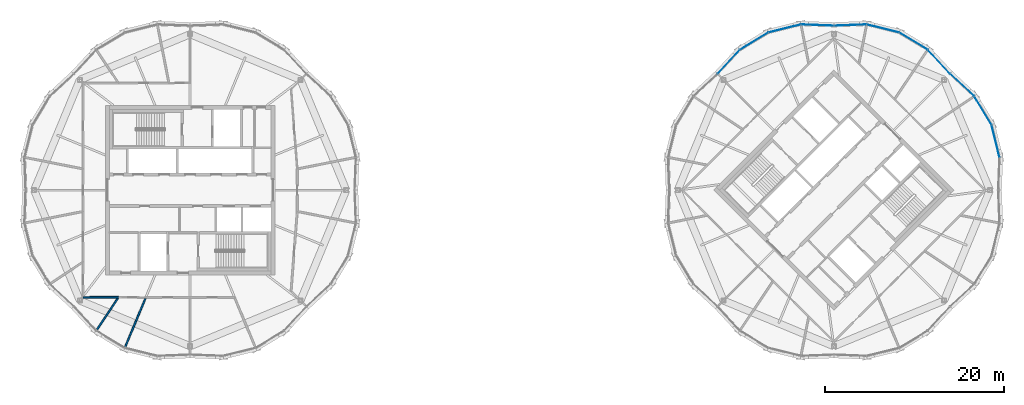
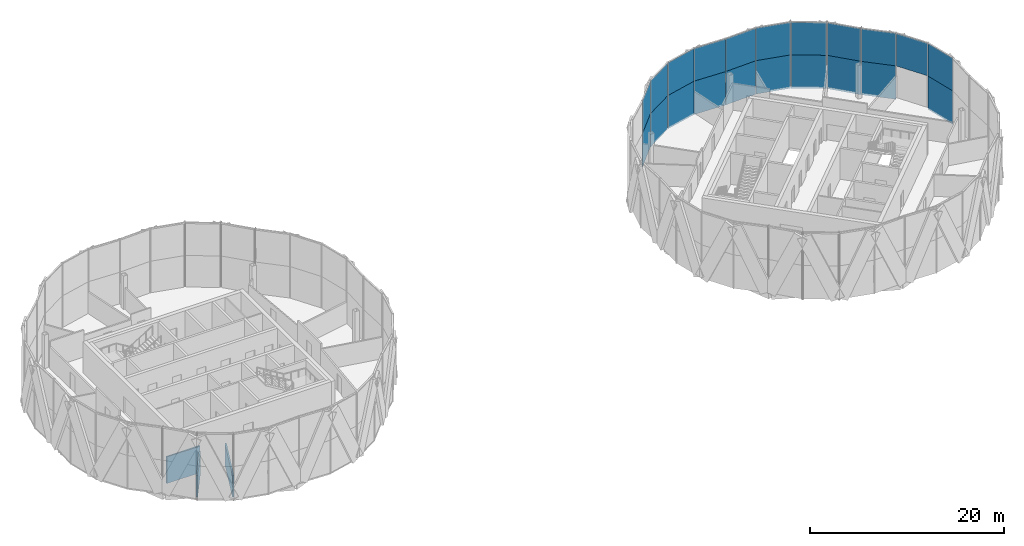
# One storey, part 14 of 22: 21 plates, 3 walls, 3 elements without a shape of their own.
"""IFC4 building model written with IfcOpenShell, lengths in metres."""

from ifc_helpers import new_model, si_unit, direction, frame, frame_2d, origin, origin_2d, place, context, subcontext, project, spatial, rectangle, extrude, material, layer, layer_set, type_object, element, aggregate, save


model = new_model("IFC4")

# Units and contexts
model_context = context("Model", 3, precision=1e-05, world=origin(), true_north=direction((0.0, 1.0)))
body_context = subcontext(model_context, "Body", "Model", "MODEL_VIEW")
ifc_project = project(units=[si_unit("LENGTHUNIT", "METRE"), si_unit("AREAUNIT", "SQUARE_METRE"), si_unit("VOLUMEUNIT", "CUBIC_METRE"), si_unit("PLANEANGLEUNIT", "RADIAN"), si_unit("MASSUNIT", "GRAM", prefix="KILO")], contexts=[model_context])

# Site, building, storey
site_placement = place(None, origin())
site = spatial("IfcSite", under=ifc_project, at=site_placement, CompositionType="ELEMENT")
building_placement = place(site_placement, origin())
building = spatial("IfcBuilding", under=site, at=building_placement, Name="Ogive Gate Towers", CompositionType="ELEMENT")
storey_placement = place(building_placement, frame((0.0, 0.0, 285.60009765625)))
storey = spatial("IfcBuildingStorey", under=building, at=storey_placement, Name="L67", CompositionType="ELEMENT", Elevation=285.60009765625)

# Curtain wall, plates
ifc_material_1 = material(Name="Pale metal aluminium", Category="aluminium")
curtain_wall_type = type_object("IfcCurtainWallType", Name="Tower unitised wall, high zone", PredefinedType="NOTDEFINED", material=ifc_material_1)
curtain_wall_1_placement = place(storey_placement, origin())
curtain_wall_1 = element("IfcCurtainWall", 1, at=curtain_wall_1_placement, inside=storey, type_object=curtain_wall_type, Name="CW2 T2 ECW01", PredefinedType="NOTDEFINED")
ifc_material_2 = material(Name="Clear glass", Category="glass")
ifc_layer_1 = layer(ifc_material_2, 0.028076171875)
ifc_layer_set_1 = layer_set([ifc_layer_1], Name="Tower unitised wall, high zone glass panel")
plate_type = type_object("IfcPlateType", Name="Tower unitised wall, high zone glass panel", PredefinedType="CURTAIN_PANEL", material=ifc_layer_set_1)
plate_1_placement = place(storey_placement, frame((54.09326171875, 5.49365234375, -0.30029296875), z_axis=(0.0, 0.0, 1.0), x_axis=(-0.238516508052, 0.971138442956, 0.0)))
plate_1 = element("IfcPlate", 2, at=plate_1_placement, type_object=plate_type, Name="CW2 glass panel", PredefinedType="CURTAIN_PANEL", context=body_context, shape_type="SweptSolid", body=[
    extrude(rectangle(XDim=3.677490234375, YDim=0.028076171875, at=origin_2d()), origin(), (0.0, 0.0, 1.0), 4.199951171875),
])
plate_2_placement = place(storey_placement, frame((54.09326171875, 5.49365234375, 3.89990234375), z_axis=(0.0, 0.0, 1.0), x_axis=(-0.238516508052, 0.971138442956, 0.0)))
plate_2 = element("IfcPlate", 3, at=plate_2_placement, type_object=plate_type, Name="CW2 glass panel", PredefinedType="CURTAIN_PANEL", context=body_context, shape_type="SweptSolid", body=[
    extrude(rectangle(XDim=3.677490234375, YDim=0.028076171875, at=origin_2d()), origin(), (0.0, 0.0, 1.0), 4.10400390625),
])
plate_3_placement = place(storey_placement, frame((52.678466796875, 8.9091796875, 3.89990234375), z_axis=(0.0, 0.0, 1.0), x_axis=(-0.518027009373, 0.855364260161, 0.0)))
plate_3 = element("IfcPlate", 4, at=plate_3_placement, type_object=plate_type, Name="CW2 glass panel", PredefinedType="CURTAIN_PANEL", context=body_context, shape_type="SweptSolid", body=[
    extrude(rectangle(XDim=3.677490234375, YDim=0.028076171875, at=origin_2d()), origin(), (0.0, 0.0, 1.0), 4.10400390625),
])
plate_4_placement = place(storey_placement, frame((50.35888671875, 11.760986328125, -0.30029296875), z_axis=(0.0, 0.0, 1.0), x_axis=(-0.733338412727, 0.679863789608, 0.0)))
plate_4 = element("IfcPlate", 5, at=plate_4_placement, type_object=plate_type, Name="CW2 glass panel", PredefinedType="CURTAIN_PANEL", context=body_context, shape_type="SweptSolid", body=[
    extrude(rectangle(XDim=3.62255859375, YDim=0.028076171875, at=origin_2d()), origin(), (0.0, 0.0, 1.0), 4.199951171875),
])
plate_5_placement = place(storey_placement, frame((50.35888671875, 11.760986328125, 3.89990234375), z_axis=(0.0, 0.0, 1.0), x_axis=(-0.733338412727, 0.679863789608, 0.0)))
plate_5 = element("IfcPlate", 6, at=plate_5_placement, type_object=plate_type, Name="CW2 glass panel", PredefinedType="CURTAIN_PANEL", context=body_context, shape_type="SweptSolid", body=[
    extrude(rectangle(XDim=3.62255859375, YDim=0.028076171875, at=origin_2d()), origin(), (0.0, 0.0, 1.0), 4.10400390625),
])
aggregate(curtain_wall_1, [plate_1, plate_2, plate_3, plate_4, plate_5])

curtain_wall_2_placement = place(storey_placement, origin())
curtain_wall_2 = element("IfcCurtainWall", 7, at=curtain_wall_2_placement, inside=storey, type_object=curtain_wall_type, Name="CW2 T2 ECW02", PredefinedType="NOTDEFINED")
plate_6_placement = place(storey_placement, frame((47.760986328125, 14.35888671875, -0.30029296875), z_axis=(0.0, 0.0, 1.0), x_axis=(-0.679863789608, 0.733338412727, 0.0)))
plate_6 = element("IfcPlate", 8, at=plate_6_placement, type_object=plate_type, Name="CW2 glass panel", PredefinedType="CURTAIN_PANEL", context=body_context, shape_type="SweptSolid", body=[
    extrude(rectangle(XDim=3.62255859375, YDim=0.028076171875, at=origin_2d()), origin(), (0.0, 0.0, 1.0), 4.199951171875),
])
plate_7_placement = place(storey_placement, frame((47.760986328125, 14.35888671875, 3.89990234375), z_axis=(0.0, 0.0, 1.0), x_axis=(-0.679863789608, 0.733338412727, 0.0)))
plate_7 = element("IfcPlate", 9, at=plate_7_placement, type_object=plate_type, Name="CW2 glass panel", PredefinedType="CURTAIN_PANEL", context=body_context, shape_type="SweptSolid", body=[
    extrude(rectangle(XDim=3.62255859375, YDim=0.028076171875, at=origin_2d()), origin(), (0.0, 0.0, 1.0), 4.10400390625),
])
plate_8_placement = place(storey_placement, frame((44.9091796875, 16.678466796875, -0.30029296875), z_axis=(0.0, 0.0, 1.0), x_axis=(-0.855364260161, 0.518027009373, 0.0)))
plate_8 = element("IfcPlate", 10, at=plate_8_placement, type_object=plate_type, Name="CW2 glass panel", PredefinedType="CURTAIN_PANEL", context=body_context, shape_type="SweptSolid", body=[
    extrude(rectangle(XDim=3.677490234375, YDim=0.028076171875, at=origin_2d()), origin(), (0.0, 0.0, 1.0), 4.199951171875),
])
plate_9_placement = place(storey_placement, frame((44.9091796875, 16.678466796875, 3.89990234375), z_axis=(0.0, 0.0, 1.0), x_axis=(-0.855364260161, 0.518027009373, 0.0)))
plate_9 = element("IfcPlate", 11, at=plate_9_placement, type_object=plate_type, Name="CW2 glass panel", PredefinedType="CURTAIN_PANEL", context=body_context, shape_type="SweptSolid", body=[
    extrude(rectangle(XDim=3.677490234375, YDim=0.028076171875, at=origin_2d()), origin(), (0.0, 0.0, 1.0), 4.10400390625),
])
plate_10_placement = place(storey_placement, frame((41.49365234375, 18.09326171875, -0.30029296875), z_axis=(0.0, 0.0, 1.0), x_axis=(-0.971138442956, 0.238516508052, 0.0)))
plate_10 = element("IfcPlate", 12, at=plate_10_placement, type_object=plate_type, Name="CW2 glass panel", PredefinedType="CURTAIN_PANEL", context=body_context, shape_type="SweptSolid", body=[
    extrude(rectangle(XDim=3.677490234375, YDim=0.028076171875, at=origin_2d()), origin(), (0.0, 0.0, 1.0), 4.199951171875),
])
plate_11_placement = place(storey_placement, frame((41.49365234375, 18.09326171875, 3.89990234375), z_axis=(0.0, 0.0, 1.0), x_axis=(-0.971138442956, 0.238516508052, 0.0)))
plate_11 = element("IfcPlate", 13, at=plate_11_placement, type_object=plate_type, Name="CW2 glass panel", PredefinedType="CURTAIN_PANEL", context=body_context, shape_type="SweptSolid", body=[
    extrude(rectangle(XDim=3.677490234375, YDim=0.028076171875, at=origin_2d()), origin(), (0.0, 0.0, 1.0), 4.10400390625),
])
plate_12_placement = place(storey_placement, frame((37.8369140625, 18.469482421875, -0.30029296875), z_axis=(0.0, 0.0, 1.0), x_axis=(-0.999285520255, -0.037794827812, 0.0)))
plate_12 = element("IfcPlate", 14, at=plate_12_placement, type_object=plate_type, Name="CW2 glass panel", PredefinedType="CURTAIN_PANEL", context=body_context, shape_type="SweptSolid", body=[
    extrude(rectangle(XDim=3.62255859375, YDim=0.028076171875, at=origin_2d()), origin(), (0.0, 0.0, 1.0), 4.199951171875),
])
plate_13_placement = place(storey_placement, frame((37.8369140625, 18.469482421875, 3.89990234375), z_axis=(0.0, 0.0, 1.0), x_axis=(-0.999285520255, -0.037794827812, 0.0)))
plate_13 = element("IfcPlate", 15, at=plate_13_placement, type_object=plate_type, Name="CW2 glass panel", PredefinedType="CURTAIN_PANEL", context=body_context, shape_type="SweptSolid", body=[
    extrude(rectangle(XDim=3.62255859375, YDim=0.028076171875, at=origin_2d()), origin(), (0.0, 0.0, 1.0), 4.10400390625),
])
aggregate(curtain_wall_2, [plate_6, plate_7, plate_8, plate_9, plate_10, plate_11, plate_12, plate_13])

curtain_wall_3_placement = place(storey_placement, origin())
curtain_wall_3 = element("IfcCurtainWall", 16, at=curtain_wall_3_placement, inside=storey, type_object=curtain_wall_type, Name="CW2 T2 ECW03", PredefinedType="NOTDEFINED")
plate_14_placement = place(storey_placement, frame((34.1630859375, 18.469482421875, -0.30029296875), z_axis=(0.0, 0.0, 1.0), x_axis=(-0.999285520255, 0.037794827812, 0.0)))
plate_14 = element("IfcPlate", 17, at=plate_14_placement, type_object=plate_type, Name="CW2 glass panel", PredefinedType="CURTAIN_PANEL", context=body_context, shape_type="SweptSolid", body=[
    extrude(rectangle(XDim=3.62255859375, YDim=0.028076171875, at=origin_2d()), origin(), (0.0, 0.0, 1.0), 4.199951171875),
])
plate_15_placement = place(storey_placement, frame((34.1630859375, 18.469482421875, 3.89990234375), z_axis=(0.0, 0.0, 1.0), x_axis=(-0.999285520255, 0.037794827812, 0.0)))
plate_15 = element("IfcPlate", 18, at=plate_15_placement, type_object=plate_type, Name="CW2 glass panel", PredefinedType="CURTAIN_PANEL", context=body_context, shape_type="SweptSolid", body=[
    extrude(rectangle(XDim=3.62255859375, YDim=0.028076171875, at=origin_2d()), origin(), (0.0, 0.0, 1.0), 4.10400390625),
])
plate_16_placement = place(storey_placement, frame((30.50634765625, 18.09326171875, -0.30029296875), z_axis=(0.0, 0.0, 1.0), x_axis=(-0.971138442956, -0.238516508052, 0.0)))
plate_16 = element("IfcPlate", 19, at=plate_16_placement, type_object=plate_type, Name="CW2 glass panel", PredefinedType="CURTAIN_PANEL", context=body_context, shape_type="SweptSolid", body=[
    extrude(rectangle(XDim=3.677490234375, YDim=0.028076171875, at=origin_2d()), origin(), (0.0, 0.0, 1.0), 4.199951171875),
])
plate_17_placement = place(storey_placement, frame((30.50634765625, 18.09326171875, 3.89990234375), z_axis=(0.0, 0.0, 1.0), x_axis=(-0.971138442956, -0.238516508052, 0.0)))
plate_17 = element("IfcPlate", 20, at=plate_17_placement, type_object=plate_type, Name="CW2 glass panel", PredefinedType="CURTAIN_PANEL", context=body_context, shape_type="SweptSolid", body=[
    extrude(rectangle(XDim=3.677490234375, YDim=0.028076171875, at=origin_2d()), origin(), (0.0, 0.0, 1.0), 4.10400390625),
])
plate_18_placement = place(storey_placement, frame((27.0908203125, 16.678466796875, -0.30029296875), z_axis=(0.0, 0.0, 1.0), x_axis=(-0.855364260161, -0.518027009373, 0.0)))
plate_18 = element("IfcPlate", 21, at=plate_18_placement, type_object=plate_type, Name="CW2 glass panel", PredefinedType="CURTAIN_PANEL", context=body_context, shape_type="SweptSolid", body=[
    extrude(rectangle(XDim=3.677490234375, YDim=0.028076171875, at=origin_2d()), origin(), (0.0, 0.0, 1.0), 4.199951171875),
])
plate_19_placement = place(storey_placement, frame((27.0908203125, 16.678466796875, 3.89990234375), z_axis=(0.0, 0.0, 1.0), x_axis=(-0.855364260161, -0.518027009373, 0.0)))
plate_19 = element("IfcPlate", 22, at=plate_19_placement, type_object=plate_type, Name="CW2 glass panel", PredefinedType="CURTAIN_PANEL", context=body_context, shape_type="SweptSolid", body=[
    extrude(rectangle(XDim=3.677490234375, YDim=0.028076171875, at=origin_2d()), origin(), (0.0, 0.0, 1.0), 4.10400390625),
])
plate_20_placement = place(storey_placement, frame((24.239013671875, 14.35888671875, -0.30029296875), z_axis=(0.0, 0.0, 1.0), x_axis=(-0.679863789608, -0.733338412727, 0.0)))
plate_20 = element("IfcPlate", 23, at=plate_20_placement, type_object=plate_type, Name="CW2 glass panel", PredefinedType="CURTAIN_PANEL", context=body_context, shape_type="SweptSolid", body=[
    extrude(rectangle(XDim=3.62255859375, YDim=0.028076171875, at=origin_2d()), origin(), (0.0, 0.0, 1.0), 4.199951171875),
])
plate_21_placement = place(storey_placement, frame((24.239013671875, 14.35888671875, 3.89990234375), z_axis=(0.0, 0.0, 1.0), x_axis=(-0.679863789608, -0.733338412727, 0.0)))
plate_21 = element("IfcPlate", 24, at=plate_21_placement, type_object=plate_type, Name="CW2 glass panel", PredefinedType="CURTAIN_PANEL", context=body_context, shape_type="SweptSolid", body=[
    extrude(rectangle(XDim=3.62255859375, YDim=0.028076171875, at=origin_2d()), origin(), (0.0, 0.0, 1.0), 4.10400390625),
])
aggregate(curtain_wall_3, [plate_14, plate_15, plate_16, plate_17, plate_18, plate_19, plate_20, plate_21])

# Walls
ifc_material_3 = material(Name="Gypsum board acoustic partition")
ifc_layer_2 = layer(ifc_material_3, 0.175048828125)
ifc_layer_set_2 = layer_set([ifc_layer_2], Name="Acoustic partition 175")
wall_type = type_object("IfcWallType", Name="Acoustic partition 175", PredefinedType="PARTITIONING", material=ifc_layer_set_2)
wall_1_placement = place(storey_placement, frame((-46.502197265625, -15.700439453125, 0.0), z_axis=(0.0, 0.0, 1.0), x_axis=(0.555982573444, 0.831193947299, 0.0)))
element("IfcWall", 25, at=wall_1_placement, inside=storey, type_object=wall_type, Name="Partition T1-L67-009", PredefinedType="PARTITIONING", context=body_context, shape_type="SweptSolid", body=[
    extrude(rectangle(XDim=4.39111328125, YDim=0.175048828125, at=frame_2d((2.195556640625, 0.0))), origin(), (0.0, 0.0, 1.0), 2.699951171875),
])
wall_2_placement = place(storey_placement, frame((-43.27099609375, -17.553955078125, 0.0), z_axis=(0.0, 0.0, 1.0), x_axis=(0.382661134108, 0.923888768436, 0.0)))
element("IfcWall", 26, at=wall_2_placement, inside=storey, type_object=wall_type, Name="Partition T1-L67-010", PredefinedType="PARTITIONING", context=body_context, shape_type="SweptSolid", body=[
    extrude(rectangle(XDim=5.901611328125, YDim=0.175048828125, at=frame_2d((2.95068359375, 0.0))), origin(), (0.0, 0.0, 1.0), 2.699951171875),
])
wall_3_placement = place(storey_placement, frame((-47.97998046875, -11.97998046875, 0.0), z_axis=(0.0, 0.0, 1.0), x_axis=(0.999999846665, 0.000553777912, 0.0)))
element("IfcWall", 27, at=wall_3_placement, inside=storey, type_object=wall_type, Name="Partition T1-L67-028", PredefinedType="PARTITIONING", context=body_context, shape_type="SweptSolid", body=[
    extrude(rectangle(XDim=3.9677734375, YDim=0.175048828125, at=frame_2d((1.98388671875, 0.0))), origin(), (0.0, 0.0, 1.0), 3.349853515625),
])

save(model, "model.ifc")
